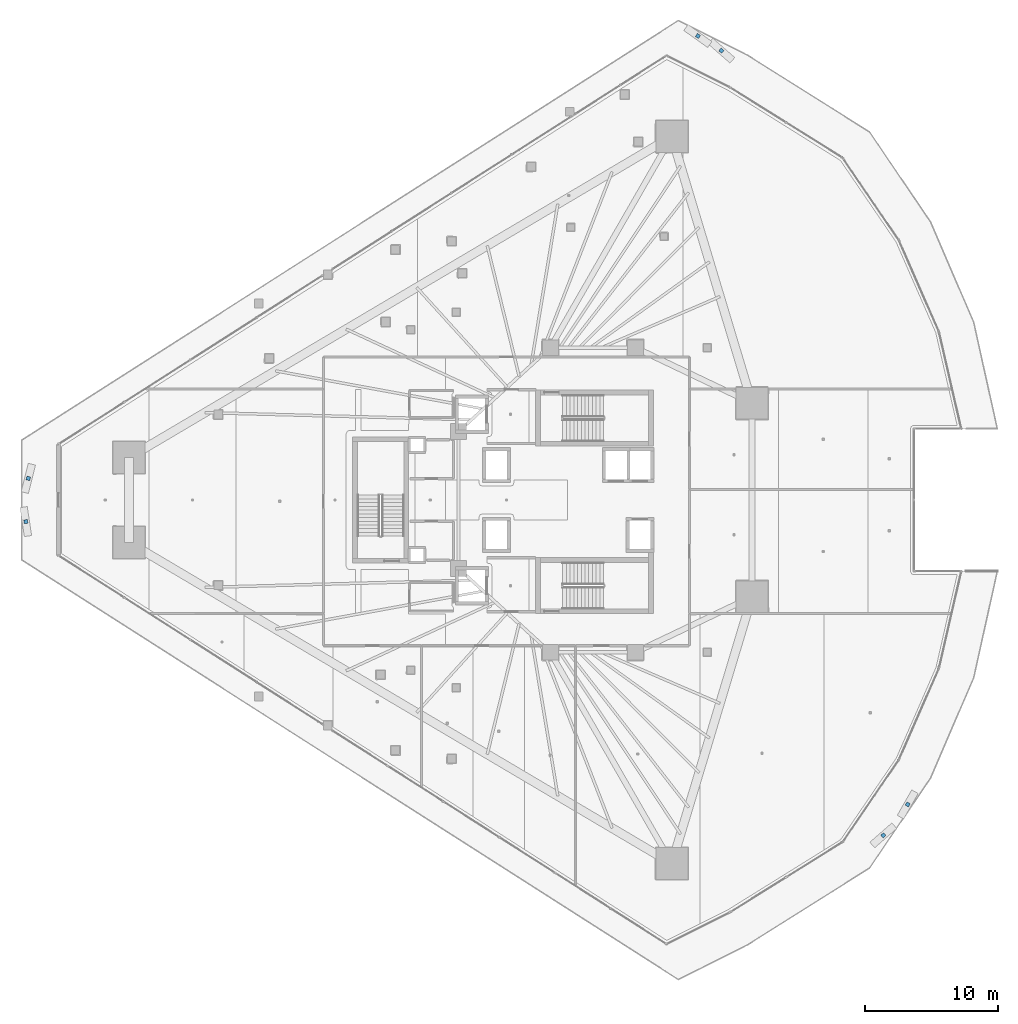
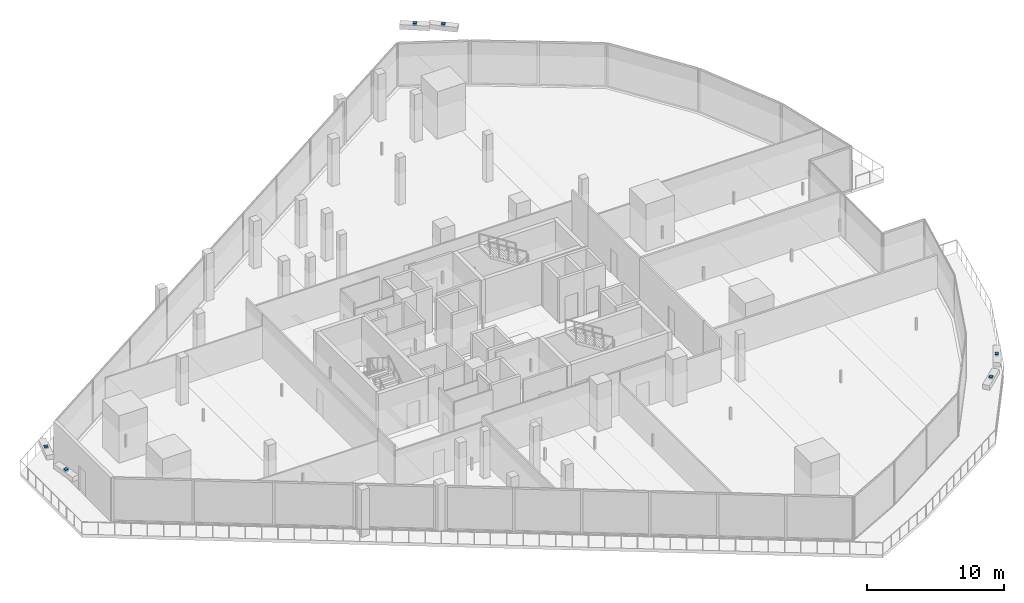
# One storey, part 35 of 44: 6 discrete accessories.
"""IFC4 building model written with IfcOpenShell, lengths in metres."""

from ifc_helpers import new_model, si_unit, direction, frame, origin, origin_2d, place, context, subcontext, project, spatial, rectangle, extrude, material, type_object, element, save


model = new_model("IFC4")

# Units and contexts
model_context = context("Model", 3, precision=1e-05, world=origin(), true_north=direction((0.0, 1.0)))
body_context = subcontext(model_context, "Body", "Model", "MODEL_VIEW")
ifc_project = project(units=[si_unit("LENGTHUNIT", "METRE"), si_unit("AREAUNIT", "SQUARE_METRE"), si_unit("VOLUMEUNIT", "CUBIC_METRE"), si_unit("PLANEANGLEUNIT", "RADIAN"), si_unit("MASSUNIT", "GRAM", prefix="KILO")], contexts=[model_context])

# Site, building, storey
site_placement = place(None, origin())
site = spatial("IfcSite", under=ifc_project, at=site_placement, CompositionType="ELEMENT")
building_placement = place(site_placement, origin())
building = spatial("IfcBuilding", under=site, at=building_placement, Name="Qorvath Tower", CompositionType="ELEMENT")
storey_placement = place(building_placement, frame((0.0, 0.0, 40.800048828125)))
storey = spatial("IfcBuildingStorey", under=building, at=storey_placement, Name="L08", CompositionType="ELEMENT", Elevation=40.800048828125)

# Discrete accessories
ifc_material = material(Name="Galvanised steel bracket", Category="steel")
discrete_accessory_type = type_object("IfcDiscreteAccessoryType", Name="DA-BRACKET", PredefinedType="BRACKET", material=ifc_material)
for number, where, z_axis, x_axis, name in (
    (1, (-62.855712890625, 1.62353515625, 3.77978515625), (0.0, 0.0, 1.0), (-0.242352017134, -0.970188383661, 0.0), "Louvre Wave Support Bracket L08-01"),
    (2, (-63.044677734375, -1.62353515625, 3.77978515625), (0.0, 0.0, 1.0), (0.150075466905, -0.988674544141, 0.0), "Louvre Wave Support Bracket L08-02"),
    (3, (1.443115234375, -25.218994140625, 3.77978515625), (0.0, 0.0, 1.0), (0.75200549541, 0.659156836325, 0.0), "Louvre Wave Support Bracket L08-03"),
    (4, (3.2763671875, -22.89404296875, 3.77978515625), (0.0, 0.0, 1.0), (0.494762643493, 0.869028150639, 0.0), "Louvre Wave Support Bracket L08-04"),
    (5, (-10.736328125, 33.79150390625, 3.77978515625), (0.0, 0.0, 1.0), (-0.752465490396, 0.658631676859, 0.0), "Louvre Wave Support Bracket L08-05"),
    (6, (-12.504638671875, 34.89306640625, 3.77978515625), (0.0, 0.0, 1.0), (-0.815188453442, 0.579195809183, 0.0), "Louvre Wave Support Bracket L08-06"),
):
    element("IfcDiscreteAccessory", number, at=place(storey_placement, frame(where, z_axis=z_axis, x_axis=x_axis)), inside=storey, type_object=discrete_accessory_type, Name=name, PredefinedType="NOTDEFINED", context=body_context, shape_type="SweptSolid", body=[
        extrude(rectangle(XDim=0.280029296875, YDim=0.280029296875, at=origin_2d()), origin(), (0.0, 0.0, 1.0), 0.199951171875),
    ])

save(model, "model.ifc")
